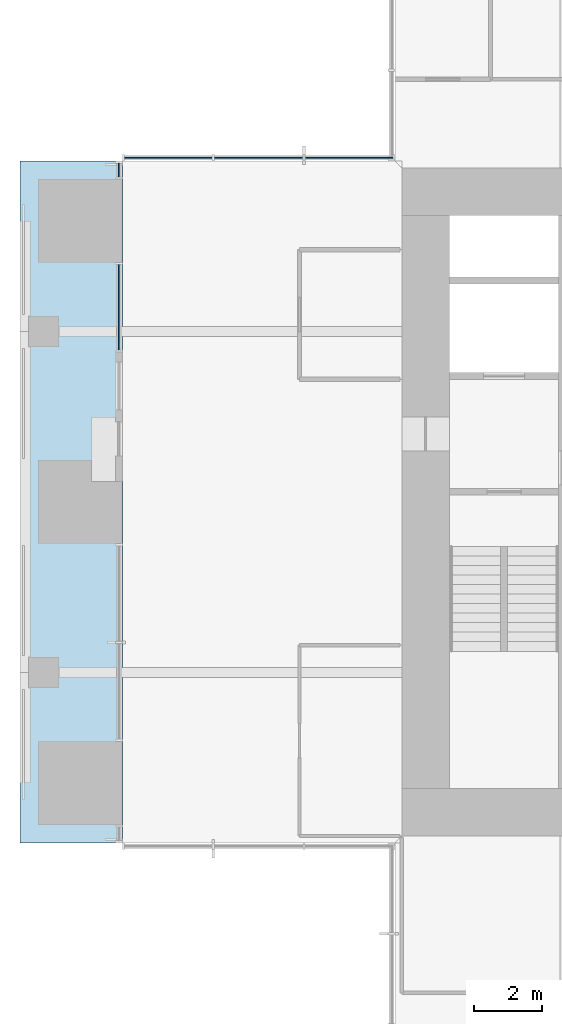
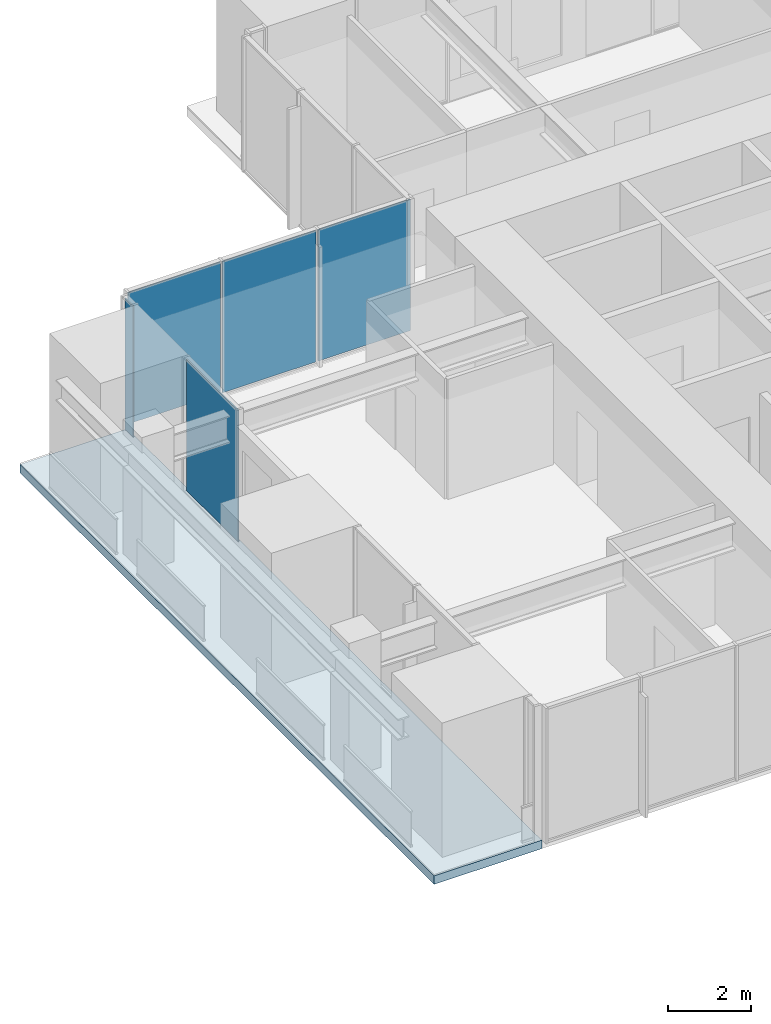
# One storey, part 8 of 17: 5 plates, 1 slab, 3 elements without a shape of their own.
"""IFC4 building model written with IfcOpenShell, lengths in metres."""

from ifc_helpers import new_model, si_unit, direction, frame, origin, origin_2d, place, context, subcontext, project, spatial, polyline, rectangle, outline, extrude, material, layer, layer_set, type_object, element, aggregate, save


model = new_model("IFC4")

# Units and contexts
model_context = context("Model", 3, precision=1e-05, world=origin(), true_north=direction((0.0, 1.0)))
body_context = subcontext(model_context, "Body", "Model", "MODEL_VIEW")
ifc_project = project(units=[si_unit("LENGTHUNIT", "METRE"), si_unit("AREAUNIT", "SQUARE_METRE"), si_unit("VOLUMEUNIT", "CUBIC_METRE"), si_unit("PLANEANGLEUNIT", "RADIAN"), si_unit("MASSUNIT", "GRAM", prefix="KILO")], contexts=[model_context])

# Site, building, storey
site_placement = place(None, origin())
site = spatial("IfcSite", under=ifc_project, at=site_placement, CompositionType="ELEMENT")
building_placement = place(site_placement, origin())
building = spatial("IfcBuilding", under=site, at=building_placement, Name="Svetlomir Tower", CompositionType="ELEMENT")
storey_placement = place(building_placement, frame((0.0, 0.0, 230.5)))
storey = spatial("IfcBuildingStorey", under=building, at=storey_placement, Name="L55", CompositionType="ELEMENT", Elevation=230.5)

# Curtain wall, plates
ifc_material_1 = material(Name="Bronze anodised aluminium curtain wall", Category="aluminium")
curtain_wall_type = type_object("IfcCurtainWallType", Name="CURTAIN WALL CW1 TOWER OFFICE", PredefinedType="NOTDEFINED", material=ifc_material_1)
curtain_wall_1_placement = place(storey_placement, origin())
curtain_wall_1 = element("IfcCurtainWall", 1, at=curtain_wall_1_placement, inside=storey, type_object=curtain_wall_type, Name="Curtain wall CW1 L55", PredefinedType="NOTDEFINED")
ifc_material_2 = material(Name="Tinted double glazed unit", Category="glass")
ifc_layer_1 = layer(ifc_material_2, 0.031982421875)
ifc_layer_set_1 = layer_set([ifc_layer_1], Name="Tinted double glazed unit")
plate_type = type_object("IfcPlateType", Name="CW1 GLAZED PANEL 32", PredefinedType="CURTAIN_PANEL", material=ifc_layer_set_1)
plate_1_placement = place(storey_placement, frame((9.650390625, 31.10009765625, 0.06494140625), z_axis=(0.0, 0.0, 1.0), x_axis=(-1.0, 0.0, 0.0)))
plate_1 = element("IfcPlate", 2, at=plate_1_placement, type_object=plate_type, Name="CW1 panel 1.1", PredefinedType="CURTAIN_PANEL", context=body_context, shape_type="SweptSolid", body=[
    extrude(rectangle(XDim=2.569091796875, YDim=0.031982421875, at=origin_2d()), origin(), (0.0, 0.0, 1.0), 3.8701171875),
])
plate_2_placement = place(storey_placement, frame((7.0, 31.10009765625, 0.06494140625), z_axis=(0.0, 0.0, 1.0), x_axis=(-1.0, 0.0, 0.0)))
plate_2 = element("IfcPlate", 3, at=plate_2_placement, type_object=plate_type, Name="CW1 panel 2.1", PredefinedType="CURTAIN_PANEL", context=body_context, shape_type="SweptSolid", body=[
    extrude(rectangle(XDim=2.6015625, YDim=0.031982421875, at=origin_2d()), origin(), (0.0, 0.0, 1.0), 3.8701171875),
])
plate_3_placement = place(storey_placement, frame((4.349609375, 31.10009765625, 0.06494140625), z_axis=(0.0, 0.0, 1.0), x_axis=(-1.0, 0.0, 0.0)))
plate_3 = element("IfcPlate", 4, at=plate_3_placement, type_object=plate_type, Name="CW1 panel 3.1", PredefinedType="CURTAIN_PANEL", context=body_context, shape_type="SweptSolid", body=[
    extrude(rectangle(XDim=2.569091796875, YDim=0.031982421875, at=origin_2d()), origin(), (0.0, 0.0, 1.0), 3.8701171875),
])
aggregate(curtain_wall_1, [plate_1, plate_2, plate_3])

# Curtain wall, plate
curtain_wall_2_placement = place(storey_placement, origin())
curtain_wall_2 = element("IfcCurtainWall", 5, at=curtain_wall_2_placement, inside=storey, type_object=curtain_wall_type, Name="Curtain wall CW1 L55", PredefinedType="NOTDEFINED")
plate_4_placement = place(storey_placement, frame((2.89990234375, 30.737548828125, 0.06494140625), z_axis=(0.0, 0.0, 1.0), x_axis=(0.0, -1.0, 0.0)))
plate_4 = element("IfcPlate", 6, at=plate_4_placement, type_object=plate_type, Name="CW1 panel 1.1", PredefinedType="CURTAIN_PANEL", context=body_context, shape_type="SweptSolid", body=[
    extrude(rectangle(XDim=0.39501953125, YDim=0.031982421875, at=origin_2d()), origin(), (0.0, 0.0, 1.0), 3.8701171875),
])
aggregate(curtain_wall_2, [plate_4])

curtain_wall_3_placement = place(storey_placement, origin())
curtain_wall_3 = element("IfcCurtainWall", 7, at=curtain_wall_3_placement, inside=storey, type_object=curtain_wall_type, Name="Curtain wall CW1 L55", PredefinedType="NOTDEFINED")
plate_5_placement = place(storey_placement, frame((2.89990234375, 26.71240234375, 0.06494140625), z_axis=(0.0, 0.0, 1.0), x_axis=(0.0, -1.0, 0.0)))
plate_5 = element("IfcPlate", 8, at=plate_5_placement, type_object=plate_type, Name="CW1 panel 1.1", PredefinedType="CURTAIN_PANEL", context=body_context, shape_type="SweptSolid", body=[
    extrude(rectangle(XDim=2.4951171875, YDim=0.031982421875, at=origin_2d()), origin(), (0.0, 0.0, 1.0), 3.8701171875),
])
aggregate(curtain_wall_3, [plate_5])

# Slab
ifc_material_3 = material(Name="Concrete C60/75", Category="concrete")
ifc_layer_2 = layer(ifc_material_3, 0.25)
ifc_layer_set_2 = layer_set([ifc_layer_2], Name="Concrete C60/75")
slab_type = type_object("IfcSlabType", Name="PLANTED LOGGIA SLAB 250", PredefinedType="FLOOR", material=ifc_layer_set_2)
slab_placement = place(storey_placement, frame((0.0, 0.0, -0.25)))
element("IfcSlab", 9, at=slab_placement, inside=storey, type_object=slab_type, Name="L55 W planted loggia", PredefinedType="FLOOR", context=body_context, shape_type="SweptSolid", body=[
    extrude(outline(polyline([(0.0, 11.0), (3.0, 11.0), (3.0, 31.0), (0.0, 31.0), (0.0, 11.0)])), origin(), (0.0, 0.0, 1.0), 0.25),
])

save(model, "model.ifc")
